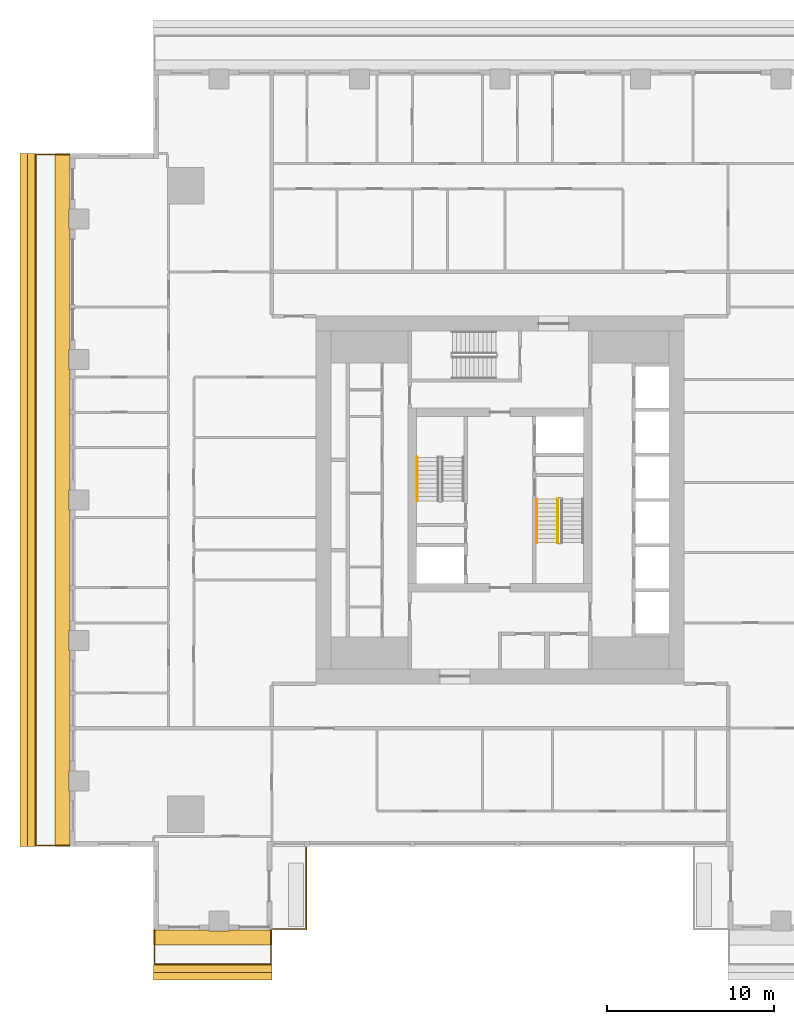
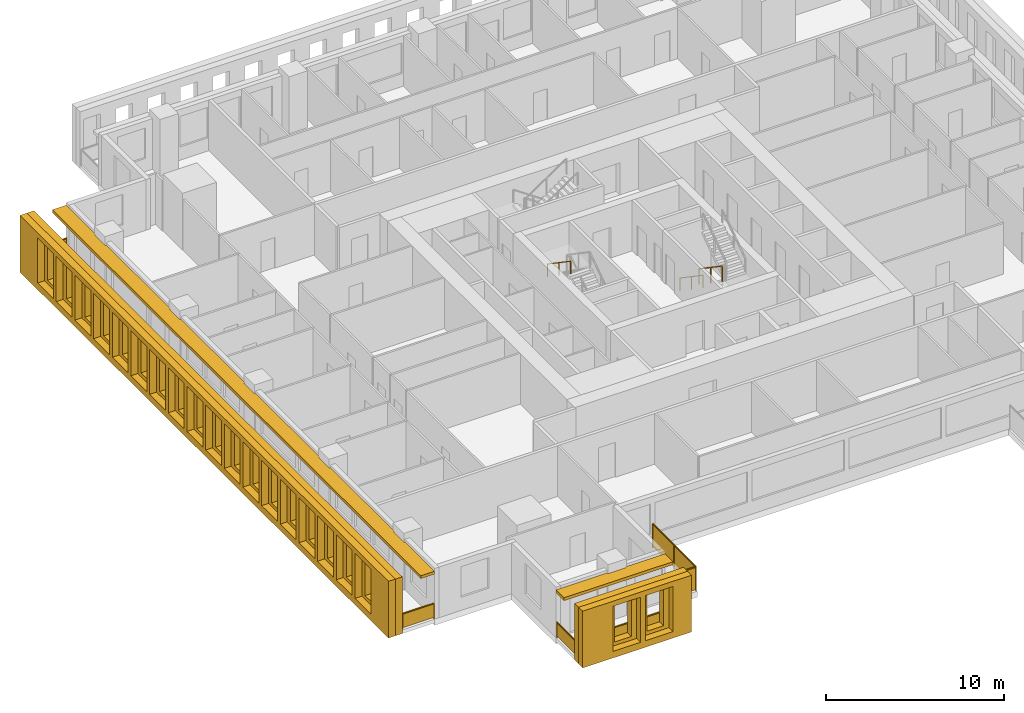
# One storey, part 10 of 14: 6 railings, 6 shading devices.
"""IFC4 building model written with IfcOpenShell, lengths in metres."""

from ifc_helpers import new_model, si_unit, direction, frame, origin, origin_2d, place, context, subcontext, project, spatial, polyline, rectangle, outline, extrude, material, layer, layer_set, type_object, element, save


model = new_model("IFC4")

# Units and contexts
model_context = context("Model", 3, precision=1e-05, world=origin(), true_north=direction((0.0, 1.0)))
body_context = subcontext(model_context, "Body", "Model", "MODEL_VIEW")
ifc_project = project(units=[si_unit("LENGTHUNIT", "METRE"), si_unit("AREAUNIT", "SQUARE_METRE"), si_unit("VOLUMEUNIT", "CUBIC_METRE"), si_unit("PLANEANGLEUNIT", "RADIAN"), si_unit("MASSUNIT", "GRAM", prefix="KILO")], contexts=[model_context])

# Site, building, storey
site_placement = place(None, origin())
site = spatial("IfcSite", under=ifc_project, at=site_placement, CompositionType="ELEMENT")
building_placement = place(site_placement, origin())
building = spatial("IfcBuilding", under=site, at=building_placement, Name="Khepri Terraces", CompositionType="ELEMENT")
storey_placement = place(building_placement, frame((0.0, 0.0, 279.60009765625)))
storey = spatial("IfcBuildingStorey", under=building, at=storey_placement, Name="L67", CompositionType="ELEMENT", Elevation=279.60009765625)

# Railings
ifc_material_1 = material(Name="Stainless steel grade 316", Category="steel")
railing_type_1 = type_object("IfcRailingType", Name="GRD-BAL-1100", PredefinedType="GUARDRAIL", material=ifc_material_1)
railing_1_placement = place(storey_placement, frame((-20.669921875, -25.719970703125, 0.0)))
element("IfcRailing", 1, at=railing_1_placement, inside=storey, type_object=railing_type_1, Name="Balcony guard L67 S", PredefinedType="GUARDRAIL", context=body_context, shape_type="SweptSolid", body=[
    extrude(rectangle(XDim=0.050048828125, YDim=0.06005859375, at=origin_2d()), frame((0.0, 0.0, 1.070068359375), z_axis=(0.0, -1.0, 0.0), x_axis=(1.0, 0.0, 0.0)), (0.0, 0.0, 1.0), 2.050048828125),
    extrude(rectangle(XDim=2.0, YDim=0.011962890625, at=origin_2d()), frame((0.0, -1.02490234375, 0.10009765625), z_axis=(0.0, 0.0, 1.0), x_axis=(0.0, -1.0, 0.0)), (0.0, 0.0, 1.0), 0.93994140625),
    extrude(rectangle(XDim=0.050048828125, YDim=0.06005859375, at=origin_2d()), frame((0.0, -2.050048828125, 1.070068359375), z_axis=(1.0, 0.0, 0.0), x_axis=(0.0, 1.0, 0.0)), (0.0, 0.0, 1.0), 6.969970703125),
    extrude(rectangle(XDim=2.273193359375, YDim=0.011962890625, at=origin_2d()), frame((1.16162109375, -2.050048828125, 0.10009765625), z_axis=(0.0, 0.0, 1.0), x_axis=(1.0, 0.0, 0.0)), (0.0, 0.0, 1.0), 0.93994140625),
    extrude(rectangle(XDim=2.273193359375, YDim=0.011962890625, at=origin_2d()), frame((3.48486328125, -2.050048828125, 0.10009765625), z_axis=(0.0, 0.0, 1.0), x_axis=(1.0, 0.0, 0.0)), (0.0, 0.0, 1.0), 0.93994140625),
    extrude(rectangle(XDim=2.273193359375, YDim=0.011962890625, at=origin_2d()), frame((5.808349609375, -2.050048828125, 0.10009765625), z_axis=(0.0, 0.0, 1.0), x_axis=(1.0, 0.0, 0.0)), (0.0, 0.0, 1.0), 0.93994140625),
    extrude(rectangle(XDim=0.050048828125, YDim=0.06005859375, at=origin_2d()), frame((6.969970703125, -2.050048828125, 1.070068359375), z_axis=(0.0, 1.0, 0.0), x_axis=(-1.0, 0.0, 0.0)), (0.0, 0.0, 1.0), 2.050048828125),
    extrude(rectangle(XDim=2.0, YDim=0.011962890625, at=origin_2d()), frame((6.969970703125, -1.02490234375, 0.10009765625), z_axis=(0.0, 0.0, 1.0), x_axis=(0.0, 1.0, 0.0)), (0.0, 0.0, 1.0), 0.93994140625),
    extrude(rectangle(XDim=0.050048828125, YDim=0.050048828125, at=origin_2d()), origin(), (0.0, 0.0, 1.0), 1.0400390625),
    extrude(rectangle(XDim=0.050048828125, YDim=0.050048828125, at=origin_2d()), frame((0.0, -2.050048828125, 0.0)), (0.0, 0.0, 1.0), 1.0400390625),
    extrude(rectangle(XDim=0.050048828125, YDim=0.050048828125, at=origin_2d()), frame((2.3232421875, -2.050048828125, 0.0)), (0.0, 0.0, 1.0), 1.0400390625),
    extrude(rectangle(XDim=0.050048828125, YDim=0.050048828125, at=origin_2d()), frame((4.646728515625, -2.050048828125, 0.0)), (0.0, 0.0, 1.0), 1.0400390625),
    extrude(rectangle(XDim=0.050048828125, YDim=0.050048828125, at=origin_2d()), frame((6.969970703125, -2.050048828125, 0.0)), (0.0, 0.0, 1.0), 1.0400390625),
    extrude(rectangle(XDim=0.050048828125, YDim=0.050048828125, at=origin_2d()), frame((6.969970703125, 0.0, 0.0)), (0.0, 0.0, 1.0), 1.0400390625),
])
railing_2_placement = place(storey_placement, frame((-25.719970703125, 20.669921875, 0.0)))
element("IfcRailing", 2, at=railing_2_placement, inside=storey, type_object=railing_type_1, Name="Balcony guard L67 W", PredefinedType="GUARDRAIL", context=body_context, shape_type="SweptSolid", body=[
    extrude(rectangle(XDim=0.050048828125, YDim=0.06005859375, at=origin_2d()), frame((0.0, 0.0, 1.070068359375), z_axis=(-1.0, 0.0, 0.0), x_axis=(0.0, -1.0, 0.0)), (0.0, 0.0, 1.0), 2.050048828125),
    extrude(rectangle(XDim=2.0, YDim=0.011962890625, at=origin_2d()), frame((-1.02490234375, 0.0, 0.10009765625), z_axis=(0.0, 0.0, 1.0), x_axis=(-1.0, 0.0, 0.0)), (0.0, 0.0, 1.0), 0.93994140625),
    extrude(rectangle(XDim=0.050048828125, YDim=0.06005859375, at=origin_2d()), frame((-2.050048828125, 0.0, 1.070068359375), z_axis=(0.0, -1.0, 0.0), x_axis=(1.0, 0.0, 0.0)), (0.0, 0.0, 1.0), 41.33984375),
    extrude(rectangle(XDim=2.24658203125, YDim=0.011962890625, at=origin_2d()), frame((-2.050048828125, -1.1484375, 0.10009765625), z_axis=(0.0, 0.0, 1.0), x_axis=(0.0, -1.0, 0.0)), (0.0, 0.0, 1.0), 0.93994140625),
    extrude(rectangle(XDim=2.24658203125, YDim=0.011962890625, at=origin_2d()), frame((-2.050048828125, -3.445068359375, 0.10009765625), z_axis=(0.0, 0.0, 1.0), x_axis=(0.0, -1.0, 0.0)), (0.0, 0.0, 1.0), 0.93994140625),
    extrude(rectangle(XDim=2.24658203125, YDim=0.011962890625, at=origin_2d()), frame((-2.050048828125, -5.74169921875, 0.10009765625), z_axis=(0.0, 0.0, 1.0), x_axis=(0.0, -1.0, 0.0)), (0.0, 0.0, 1.0), 0.93994140625),
    extrude(rectangle(XDim=2.24658203125, YDim=0.011962890625, at=origin_2d()), frame((-2.050048828125, -8.038330078125, 0.10009765625), z_axis=(0.0, 0.0, 1.0), x_axis=(0.0, -1.0, 0.0)), (0.0, 0.0, 1.0), 0.93994140625),
    extrude(rectangle(XDim=2.24658203125, YDim=0.011962890625, at=origin_2d()), frame((-2.050048828125, -10.3349609375, 0.10009765625), z_axis=(0.0, 0.0, 1.0), x_axis=(0.0, -1.0, 0.0)), (0.0, 0.0, 1.0), 0.93994140625),
    extrude(rectangle(XDim=2.24658203125, YDim=0.011962890625, at=origin_2d()), frame((-2.050048828125, -12.631591796875, 0.10009765625), z_axis=(0.0, 0.0, 1.0), x_axis=(0.0, -1.0, 0.0)), (0.0, 0.0, 1.0), 0.93994140625),
    extrude(rectangle(XDim=2.24658203125, YDim=0.011962890625, at=origin_2d()), frame((-2.050048828125, -14.92822265625, 0.10009765625), z_axis=(0.0, 0.0, 1.0), x_axis=(0.0, -1.0, 0.0)), (0.0, 0.0, 1.0), 0.93994140625),
    extrude(rectangle(XDim=2.24658203125, YDim=0.011962890625, at=origin_2d()), frame((-2.050048828125, -17.224853515625, 0.10009765625), z_axis=(0.0, 0.0, 1.0), x_axis=(0.0, -1.0, 0.0)), (0.0, 0.0, 1.0), 0.93994140625),
    extrude(rectangle(XDim=2.24658203125, YDim=0.011962890625, at=origin_2d()), frame((-2.050048828125, -19.521484375, 0.10009765625), z_axis=(0.0, 0.0, 1.0), x_axis=(0.0, -1.0, 0.0)), (0.0, 0.0, 1.0), 0.93994140625),
    extrude(rectangle(XDim=2.24658203125, YDim=0.011962890625, at=origin_2d()), frame((-2.050048828125, -21.818359375, 0.10009765625), z_axis=(0.0, 0.0, 1.0), x_axis=(0.0, -1.0, 0.0)), (0.0, 0.0, 1.0), 0.93994140625),
    extrude(rectangle(XDim=2.24658203125, YDim=0.011962890625, at=origin_2d()), frame((-2.050048828125, -24.114990234375, 0.10009765625), z_axis=(0.0, 0.0, 1.0), x_axis=(0.0, -1.0, 0.0)), (0.0, 0.0, 1.0), 0.93994140625),
    extrude(rectangle(XDim=2.24658203125, YDim=0.011962890625, at=origin_2d()), frame((-2.050048828125, -26.41162109375, 0.10009765625), z_axis=(0.0, 0.0, 1.0), x_axis=(0.0, -1.0, 0.0)), (0.0, 0.0, 1.0), 0.93994140625),
    extrude(rectangle(XDim=2.24658203125, YDim=0.011962890625, at=origin_2d()), frame((-2.050048828125, -28.708251953125, 0.10009765625), z_axis=(0.0, 0.0, 1.0), x_axis=(0.0, -1.0, 0.0)), (0.0, 0.0, 1.0), 0.93994140625),
    extrude(rectangle(XDim=2.24658203125, YDim=0.011962890625, at=origin_2d()), frame((-2.050048828125, -31.0048828125, 0.10009765625), z_axis=(0.0, 0.0, 1.0), x_axis=(0.0, -1.0, 0.0)), (0.0, 0.0, 1.0), 0.93994140625),
    extrude(rectangle(XDim=2.24658203125, YDim=0.011962890625, at=origin_2d()), frame((-2.050048828125, -33.301513671875, 0.10009765625), z_axis=(0.0, 0.0, 1.0), x_axis=(0.0, -1.0, 0.0)), (0.0, 0.0, 1.0), 0.93994140625),
    extrude(rectangle(XDim=2.24658203125, YDim=0.011962890625, at=origin_2d()), frame((-2.050048828125, -35.59814453125, 0.10009765625), z_axis=(0.0, 0.0, 1.0), x_axis=(0.0, -1.0, 0.0)), (0.0, 0.0, 1.0), 0.93994140625),
    extrude(rectangle(XDim=2.24658203125, YDim=0.011962890625, at=origin_2d()), frame((-2.050048828125, -37.894775390625, 0.10009765625), z_axis=(0.0, 0.0, 1.0), x_axis=(0.0, -1.0, 0.0)), (0.0, 0.0, 1.0), 0.93994140625),
    extrude(rectangle(XDim=2.24658203125, YDim=0.011962890625, at=origin_2d()), frame((-2.050048828125, -40.19140625, 0.10009765625), z_axis=(0.0, 0.0, 1.0), x_axis=(0.0, -1.0, 0.0)), (0.0, 0.0, 1.0), 0.93994140625),
    extrude(rectangle(XDim=0.050048828125, YDim=0.06005859375, at=origin_2d()), frame((-2.050048828125, -41.33984375, 1.070068359375), z_axis=(1.0, 0.0, 0.0), x_axis=(0.0, 1.0, 0.0)), (0.0, 0.0, 1.0), 2.050048828125),
    extrude(rectangle(XDim=2.0, YDim=0.011962890625, at=origin_2d()), frame((-1.02490234375, -41.33984375, 0.10009765625), z_axis=(0.0, 0.0, 1.0), x_axis=(1.0, 0.0, 0.0)), (0.0, 0.0, 1.0), 0.93994140625),
    extrude(rectangle(XDim=0.050048828125, YDim=0.050048828125, at=origin_2d()), origin(), (0.0, 0.0, 1.0), 1.0400390625),
    extrude(rectangle(XDim=0.050048828125, YDim=0.050048828125, at=origin_2d()), frame((-2.050048828125, 0.0, 0.0)), (0.0, 0.0, 1.0), 1.0400390625),
    extrude(rectangle(XDim=0.050048828125, YDim=0.050048828125, at=origin_2d()), frame((-2.050048828125, -2.296630859375, 0.0)), (0.0, 0.0, 1.0), 1.0400390625),
    extrude(rectangle(XDim=0.050048828125, YDim=0.050048828125, at=origin_2d()), frame((-2.050048828125, -4.59326171875, 0.0)), (0.0, 0.0, 1.0), 1.0400390625),
    extrude(rectangle(XDim=0.050048828125, YDim=0.050048828125, at=origin_2d()), frame((-2.050048828125, -6.889892578125, 0.0)), (0.0, 0.0, 1.0), 1.0400390625),
    extrude(rectangle(XDim=0.050048828125, YDim=0.050048828125, at=origin_2d()), frame((-2.050048828125, -9.1865234375, 0.0)), (0.0, 0.0, 1.0), 1.0400390625),
    extrude(rectangle(XDim=0.050048828125, YDim=0.050048828125, at=origin_2d()), frame((-2.050048828125, -11.4833984375, 0.0)), (0.0, 0.0, 1.0), 1.0400390625),
    extrude(rectangle(XDim=0.050048828125, YDim=0.050048828125, at=origin_2d()), frame((-2.050048828125, -13.780029296875, 0.0)), (0.0, 0.0, 1.0), 1.0400390625),
    extrude(rectangle(XDim=0.050048828125, YDim=0.050048828125, at=origin_2d()), frame((-2.050048828125, -16.07666015625, 0.0)), (0.0, 0.0, 1.0), 1.0400390625),
    extrude(rectangle(XDim=0.050048828125, YDim=0.050048828125, at=origin_2d()), frame((-2.050048828125, -18.373291015625, 0.0)), (0.0, 0.0, 1.0), 1.0400390625),
    extrude(rectangle(XDim=0.050048828125, YDim=0.050048828125, at=origin_2d()), frame((-2.050048828125, -20.669921875, 0.0)), (0.0, 0.0, 1.0), 1.0400390625),
    extrude(rectangle(XDim=0.050048828125, YDim=0.050048828125, at=origin_2d()), frame((-2.050048828125, -22.966552734375, 0.0)), (0.0, 0.0, 1.0), 1.0400390625),
    extrude(rectangle(XDim=0.050048828125, YDim=0.050048828125, at=origin_2d()), frame((-2.050048828125, -25.26318359375, 0.0)), (0.0, 0.0, 1.0), 1.0400390625),
    extrude(rectangle(XDim=0.050048828125, YDim=0.050048828125, at=origin_2d()), frame((-2.050048828125, -27.559814453125, 0.0)), (0.0, 0.0, 1.0), 1.0400390625),
    extrude(rectangle(XDim=0.050048828125, YDim=0.050048828125, at=origin_2d()), frame((-2.050048828125, -29.8564453125, 0.0)), (0.0, 0.0, 1.0), 1.0400390625),
    extrude(rectangle(XDim=0.050048828125, YDim=0.050048828125, at=origin_2d()), frame((-2.050048828125, -32.1533203125, 0.0)), (0.0, 0.0, 1.0), 1.0400390625),
    extrude(rectangle(XDim=0.050048828125, YDim=0.050048828125, at=origin_2d()), frame((-2.050048828125, -34.449951171875, 0.0)), (0.0, 0.0, 1.0), 1.0400390625),
    extrude(rectangle(XDim=0.050048828125, YDim=0.050048828125, at=origin_2d()), frame((-2.050048828125, -36.74658203125, 0.0)), (0.0, 0.0, 1.0), 1.0400390625),
    extrude(rectangle(XDim=0.050048828125, YDim=0.050048828125, at=origin_2d()), frame((-2.050048828125, -39.043212890625, 0.0)), (0.0, 0.0, 1.0), 1.0400390625),
    extrude(rectangle(XDim=0.050048828125, YDim=0.050048828125, at=origin_2d()), frame((-2.050048828125, -41.33984375, 0.0)), (0.0, 0.0, 1.0), 1.0400390625),
    extrude(rectangle(XDim=0.050048828125, YDim=0.050048828125, at=origin_2d()), frame((0.0, -41.33984375, 0.0)), (0.0, 0.0, 1.0), 1.0400390625),
])
railing_type_2 = type_object("IfcRailingType", Name="GRD-TERR-1700", PredefinedType="GUARDRAIL", material=ifc_material_1)
railing_3_placement = place(storey_placement, frame((-11.60009765625, -20.7900390625, 0.0)))
element("IfcRailing", 3, at=railing_3_placement, inside=storey, type_object=railing_type_2, Name="Terrace guard L67", PredefinedType="GUARDRAIL", context=body_context, shape_type="SweptSolid", body=[
    extrude(rectangle(XDim=0.050048828125, YDim=0.06005859375, at=origin_2d()), frame((0.0, 0.0, 1.669921875), z_axis=(0.0, -1.0, 0.0), x_axis=(1.0, 0.0, 0.0)), (0.0, 0.0, 1.0), 4.8798828125),
    extrude(rectangle(XDim=2.389892578125, YDim=0.011962890625, at=origin_2d()), frame((0.0, -1.219970703125, 0.10009765625), z_axis=(0.0, 0.0, 1.0), x_axis=(0.0, -1.0, 0.0)), (0.0, 0.0, 1.0), 1.539794921875),
    extrude(rectangle(XDim=2.389892578125, YDim=0.011962890625, at=origin_2d()), frame((0.0, -3.659912109375, 0.10009765625), z_axis=(0.0, 0.0, 1.0), x_axis=(0.0, -1.0, 0.0)), (0.0, 0.0, 1.0), 1.539794921875),
    extrude(rectangle(XDim=0.050048828125, YDim=0.06005859375, at=origin_2d()), frame((0.0, -4.8798828125, 1.669921875), z_axis=(-1.0, 0.0, 0.0), x_axis=(0.0, -1.0, 0.0)), (0.0, 0.0, 1.0), 1.97998046875),
    extrude(rectangle(XDim=1.929931640625, YDim=0.011962890625, at=origin_2d()), frame((-0.989990234375, -4.8798828125, 0.10009765625), z_axis=(0.0, 0.0, 1.0), x_axis=(-1.0, 0.0, 0.0)), (0.0, 0.0, 1.0), 1.539794921875),
    extrude(rectangle(XDim=0.050048828125, YDim=0.050048828125, at=origin_2d()), origin(), (0.0, 0.0, 1.0), 1.639892578125),
    extrude(rectangle(XDim=0.050048828125, YDim=0.050048828125, at=origin_2d()), frame((0.0, -2.43994140625, 0.0)), (0.0, 0.0, 1.0), 1.639892578125),
    extrude(rectangle(XDim=0.050048828125, YDim=0.050048828125, at=origin_2d()), frame((0.0, -4.8798828125, 0.0)), (0.0, 0.0, 1.0), 1.639892578125),
    extrude(rectangle(XDim=0.050048828125, YDim=0.050048828125, at=origin_2d()), frame((-1.97998046875, -4.8798828125, 0.0)), (0.0, 0.0, 1.0), 1.639892578125),
])
ifc_material_2 = material(Name="Stainless steel 316", Category="steel")
railing_type_3 = type_object("IfcRailingType", Name="RL-CORE-GUARD", PredefinedType="GUARDRAIL", material=ifc_material_2)
railing_4_placement = place(storey_placement, frame((3.449951171875, 0.050048828125, 0.17724609375)))
element("IfcRailing", 4, at=railing_4_placement, inside=storey, type_object=railing_type_3, Name="L67 ST-2 stair guard 1", PredefinedType="GUARDRAIL", context=body_context, shape_type="SweptSolid", body=[
    extrude(rectangle(XDim=0.050048828125, YDim=0.06005859375, at=origin_2d()), frame((0.0, 0.0, 1.070068359375), z_axis=(0.0, -0.826240473404, 0.563317565952), x_axis=(1.0, 0.0, 0.0)), (0.0, 0.0, 1.0), 3.14697265625),
    extrude(rectangle(XDim=0.050048828125, YDim=0.050048828125, at=origin_2d()), origin(), (0.0, 0.0, 1.0), 1.0400390625),
    extrude(rectangle(XDim=0.050048828125, YDim=0.050048828125, at=origin_2d()), frame((0.0, -1.300048828125, 0.88623046875)), (0.0, 0.0, 1.0), 1.0400390625),
    extrude(rectangle(XDim=0.050048828125, YDim=0.050048828125, at=origin_2d()), frame((0.0, -2.60009765625, 1.772705078125)), (0.0, 0.0, 1.0), 1.0400390625),
])
railing_type_4 = type_object("IfcRailingType", Name="RL-CORE-HANDRAIL", PredefinedType="HANDRAIL", material=ifc_material_2)
for number, where, name in (
    (5, (-4.949951171875, 2.550048828125, 2.127197265625), "L67 ST-1 stair handrail 2"),
    (6, (2.199951171875, 0.050048828125, 0.17724609375), "L67 ST-2 stair handrail 1"),
):
    element("IfcRailing", number, at=place(storey_placement, frame(where)), inside=storey, type_object=railing_type_4, Name=name, PredefinedType="HANDRAIL", context=body_context, shape_type="SweptSolid", body=[
        extrude(rectangle(XDim=0.050048828125, YDim=0.050048828125, at=origin_2d()), frame((0.0, 0.0, 0.875), z_axis=(0.0, -0.826240473404, 0.563317565952), x_axis=(1.0, 0.0, 0.0)), (0.0, 0.0, 1.0), 3.14697265625),
        extrude(rectangle(XDim=0.050048828125, YDim=0.050048828125, at=origin_2d()), origin(), (0.0, 0.0, 1.0), 0.849853515625),
        extrude(rectangle(XDim=0.050048828125, YDim=0.050048828125, at=origin_2d()), frame((0.0, -1.300048828125, 0.88623046875)), (0.0, 0.0, 1.0), 0.849853515625),
        extrude(rectangle(XDim=0.050048828125, YDim=0.050048828125, at=origin_2d()), frame((0.0, -2.60009765625, 1.772705078125)), (0.0, 0.0, 1.0), 0.849853515625),
    ])

# Shading devices
ifc_material_3 = material(Name="Precast concrete C50/60 warm stone", Category="masonry")
shading_device_type_1 = type_object("IfcShadingDeviceType", Name="SCR-CELL-INNER-450", PredefinedType="USERDEFINED", material=ifc_material_3)
shading_device_1_placement = place(storey_placement, frame((-20.719970703125, -27.820068359375, -0.25), z_axis=(0.0, -1.0, 0.0), x_axis=(1.0, 0.0, 0.0)))
element("IfcShadingDevice", 7, at=shading_device_1_placement, inside=storey, type_object=shading_device_type_1, Name="Cell screen L67 S in", ObjectType="SCREEN", PredefinedType="USERDEFINED", context=body_context, shape_type="SweptSolid", body=[
    extrude(outline(polyline([(0.0, 0.0), (7.070068359375, 0.0), (7.070068359375, 3.89990234375), (0.0, 3.89990234375), (0.0, 0.0)]), holes=[polyline([(0.2265625, 0.699951171875), (1.3134765625, 0.699951171875), (1.3134765625, 3.300048828125), (0.2265625, 3.300048828125), (0.2265625, 0.699951171875)]), polyline([(2.32666015625, 0.699951171875), (3.413330078125, 0.699951171875), (3.413330078125, 3.300048828125), (2.32666015625, 3.300048828125), (2.32666015625, 0.699951171875)]), polyline([(4.426513671875, 0.699951171875), (5.513427734375, 0.699951171875), (5.513427734375, 3.300048828125), (4.426513671875, 3.300048828125), (4.426513671875, 0.699951171875)])]), origin(), (0.0, 0.0, 1.0), 0.449951171875),
])
shading_device_2_placement = place(storey_placement, frame((-27.820068359375, 20.719970703125, -0.25), z_axis=(-1.0, 0.0, 0.0), x_axis=(0.0, -1.0, 0.0)))
element("IfcShadingDevice", 8, at=shading_device_2_placement, inside=storey, type_object=shading_device_type_1, Name="Cell screen L67 W in", ObjectType="SCREEN", PredefinedType="USERDEFINED", context=body_context, shape_type="SweptSolid", body=[
    extrude(outline(polyline([(0.0, 0.0), (41.43994140625, 0.0), (41.43994140625, 3.89990234375), (0.0, 3.89990234375), (0.0, 0.0)]), holes=[polyline([(0.2265625, 0.699951171875), (1.3134765625, 0.699951171875), (1.3134765625, 3.300048828125), (0.2265625, 3.300048828125), (0.2265625, 0.699951171875)]), polyline([(2.32666015625, 0.699951171875), (3.413330078125, 0.699951171875), (3.413330078125, 3.300048828125), (2.32666015625, 3.300048828125), (2.32666015625, 0.699951171875)]), polyline([(4.426513671875, 0.699951171875), (5.513427734375, 0.699951171875), (5.513427734375, 3.300048828125), (4.426513671875, 3.300048828125), (4.426513671875, 0.699951171875)]), polyline([(6.526611328125, 0.699951171875), (7.61328125, 0.699951171875), (7.61328125, 3.300048828125), (6.526611328125, 3.300048828125), (6.526611328125, 0.699951171875)]), polyline([(8.626708984375, 0.699951171875), (9.71337890625, 0.699951171875), (9.71337890625, 3.300048828125), (8.626708984375, 3.300048828125), (8.626708984375, 0.699951171875)]), polyline([(10.7265625, 0.699951171875), (11.8134765625, 0.699951171875), (11.8134765625, 3.300048828125), (10.7265625, 3.300048828125), (10.7265625, 0.699951171875)]), polyline([(12.82666015625, 0.699951171875), (13.913330078125, 0.699951171875), (13.913330078125, 3.300048828125), (12.82666015625, 3.300048828125), (12.82666015625, 0.699951171875)]), polyline([(14.926513671875, 0.699951171875), (16.013427734375, 0.699951171875), (16.013427734375, 3.300048828125), (14.926513671875, 3.300048828125), (14.926513671875, 0.699951171875)]), polyline([(17.026611328125, 0.699951171875), (18.11328125, 0.699951171875), (18.11328125, 3.300048828125), (17.026611328125, 3.300048828125), (17.026611328125, 0.699951171875)]), polyline([(19.126708984375, 0.699951171875), (20.21337890625, 0.699951171875), (20.21337890625, 3.300048828125), (19.126708984375, 3.300048828125), (19.126708984375, 0.699951171875)]), polyline([(21.2265625, 0.699951171875), (22.3134765625, 0.699951171875), (22.3134765625, 3.300048828125), (21.2265625, 3.300048828125), (21.2265625, 0.699951171875)]), polyline([(23.32666015625, 0.699951171875), (24.413330078125, 0.699951171875), (24.413330078125, 3.300048828125), (23.32666015625, 3.300048828125), (23.32666015625, 0.699951171875)]), polyline([(25.426513671875, 0.699951171875), (26.513427734375, 0.699951171875), (26.513427734375, 3.300048828125), (25.426513671875, 3.300048828125), (25.426513671875, 0.699951171875)]), polyline([(27.526611328125, 0.699951171875), (28.61328125, 0.699951171875), (28.61328125, 3.300048828125), (27.526611328125, 3.300048828125), (27.526611328125, 0.699951171875)]), polyline([(29.626708984375, 0.699951171875), (30.71337890625, 0.699951171875), (30.71337890625, 3.300048828125), (29.626708984375, 3.300048828125), (29.626708984375, 0.699951171875)]), polyline([(31.7265625, 0.699951171875), (32.8134765625, 0.699951171875), (32.8134765625, 3.300048828125), (31.7265625, 3.300048828125), (31.7265625, 0.699951171875)]), polyline([(33.82666015625, 0.699951171875), (34.913330078125, 0.699951171875), (34.913330078125, 3.300048828125), (33.82666015625, 3.300048828125), (33.82666015625, 0.699951171875)]), polyline([(35.926513671875, 0.699951171875), (37.013427734375, 0.699951171875), (37.013427734375, 3.300048828125), (35.926513671875, 3.300048828125), (35.926513671875, 0.699951171875)]), polyline([(38.026611328125, 0.699951171875), (39.11328125, 0.699951171875), (39.11328125, 3.300048828125), (38.026611328125, 3.300048828125), (38.026611328125, 0.699951171875)]), polyline([(40.126708984375, 0.699951171875), (41.21337890625, 0.699951171875), (41.21337890625, 3.300048828125), (40.126708984375, 3.300048828125), (40.126708984375, 0.699951171875)])]), origin(), (0.0, 0.0, 1.0), 0.449951171875),
])
shading_device_type_2 = type_object("IfcShadingDeviceType", Name="SCR-CELL-OUTER-450", PredefinedType="USERDEFINED", material=ifc_material_3)
shading_device_3_placement = place(storey_placement, frame((-20.719970703125, -28.27001953125, -0.25), z_axis=(0.0, -1.0, 0.0), x_axis=(1.0, 0.0, 0.0)))
element("IfcShadingDevice", 9, at=shading_device_3_placement, inside=storey, type_object=shading_device_type_2, Name="Cell screen L67 S out", ObjectType="SCREEN", PredefinedType="USERDEFINED", context=body_context, shape_type="SweptSolid", body=[
    extrude(outline(polyline([(0.0, 0.0), (7.070068359375, 0.0), (7.070068359375, 3.89990234375), (0.0, 3.89990234375), (0.0, 0.0)]), holes=[polyline([(1.9765625, 0.449951171875), (3.763427734375, 0.449951171875), (3.763427734375, 3.550048828125), (1.9765625, 3.550048828125), (1.9765625, 0.449951171875)]), polyline([(4.07666015625, 0.449951171875), (5.86328125, 0.449951171875), (5.86328125, 3.550048828125), (4.07666015625, 3.550048828125), (4.07666015625, 0.449951171875)])]), origin(), (0.0, 0.0, 1.0), 0.449951171875),
])
shading_device_4_placement = place(storey_placement, frame((-28.27001953125, 20.719970703125, -0.25), z_axis=(-1.0, 0.0, 0.0), x_axis=(0.0, -1.0, 0.0)))
element("IfcShadingDevice", 10, at=shading_device_4_placement, inside=storey, type_object=shading_device_type_2, Name="Cell screen L67 W out", ObjectType="SCREEN", PredefinedType="USERDEFINED", context=body_context, shape_type="SweptSolid", body=[
    extrude(outline(polyline([(0.0, 0.0), (41.43994140625, 0.0), (41.43994140625, 3.89990234375), (0.0, 3.89990234375), (0.0, 0.0)]), holes=[polyline([(1.9765625, 0.449951171875), (3.763427734375, 0.449951171875), (3.763427734375, 3.550048828125), (1.9765625, 3.550048828125), (1.9765625, 0.449951171875)]), polyline([(4.07666015625, 0.449951171875), (5.86328125, 0.449951171875), (5.86328125, 3.550048828125), (4.07666015625, 3.550048828125), (4.07666015625, 0.449951171875)]), polyline([(6.176513671875, 0.449951171875), (7.96337890625, 0.449951171875), (7.96337890625, 3.550048828125), (6.176513671875, 3.550048828125), (6.176513671875, 0.449951171875)]), polyline([(8.276611328125, 0.449951171875), (10.0634765625, 0.449951171875), (10.0634765625, 3.550048828125), (8.276611328125, 3.550048828125), (8.276611328125, 0.449951171875)]), polyline([(10.376708984375, 0.449951171875), (12.163330078125, 0.449951171875), (12.163330078125, 3.550048828125), (10.376708984375, 3.550048828125), (10.376708984375, 0.449951171875)]), polyline([(12.4765625, 0.449951171875), (14.263427734375, 0.449951171875), (14.263427734375, 3.550048828125), (12.4765625, 3.550048828125), (12.4765625, 0.449951171875)]), polyline([(14.57666015625, 0.449951171875), (16.36328125, 0.449951171875), (16.36328125, 3.550048828125), (14.57666015625, 3.550048828125), (14.57666015625, 0.449951171875)]), polyline([(16.676513671875, 0.449951171875), (18.46337890625, 0.449951171875), (18.46337890625, 3.550048828125), (16.676513671875, 3.550048828125), (16.676513671875, 0.449951171875)]), polyline([(18.776611328125, 0.449951171875), (20.5634765625, 0.449951171875), (20.5634765625, 3.550048828125), (18.776611328125, 3.550048828125), (18.776611328125, 0.449951171875)]), polyline([(20.876708984375, 0.449951171875), (22.663330078125, 0.449951171875), (22.663330078125, 3.550048828125), (20.876708984375, 3.550048828125), (20.876708984375, 0.449951171875)]), polyline([(22.9765625, 0.449951171875), (24.763427734375, 0.449951171875), (24.763427734375, 3.550048828125), (22.9765625, 3.550048828125), (22.9765625, 0.449951171875)]), polyline([(25.07666015625, 0.449951171875), (26.86328125, 0.449951171875), (26.86328125, 3.550048828125), (25.07666015625, 3.550048828125), (25.07666015625, 0.449951171875)]), polyline([(27.176513671875, 0.449951171875), (28.96337890625, 0.449951171875), (28.96337890625, 3.550048828125), (27.176513671875, 3.550048828125), (27.176513671875, 0.449951171875)]), polyline([(29.276611328125, 0.449951171875), (31.0634765625, 0.449951171875), (31.0634765625, 3.550048828125), (29.276611328125, 3.550048828125), (29.276611328125, 0.449951171875)]), polyline([(31.376708984375, 0.449951171875), (33.163330078125, 0.449951171875), (33.163330078125, 3.550048828125), (31.376708984375, 3.550048828125), (31.376708984375, 0.449951171875)]), polyline([(33.4765625, 0.449951171875), (35.263427734375, 0.449951171875), (35.263427734375, 3.550048828125), (33.4765625, 3.550048828125), (33.4765625, 0.449951171875)]), polyline([(35.57666015625, 0.449951171875), (37.36328125, 0.449951171875), (37.36328125, 3.550048828125), (35.57666015625, 3.550048828125), (35.57666015625, 0.449951171875)]), polyline([(37.676513671875, 0.449951171875), (39.46337890625, 0.449951171875), (39.46337890625, 3.550048828125), (37.676513671875, 3.550048828125), (37.676513671875, 0.449951171875)])]), origin(), (0.0, 0.0, 1.0), 0.449951171875),
])
ifc_layer = layer(ifc_material_3, 0.199951171875, Name="Precast concrete C50/60 warm stone", Category="masonry")
ifc_layer_set = layer_set([ifc_layer], Name="Precast concrete C50/60 warm stone")
shading_device_type_3 = type_object("IfcShadingDeviceType", Name="SSH-BAND-STONE-200", PredefinedType="USERDEFINED", material=ifc_layer_set)
shading_device_5_placement = place(storey_placement, frame((0.0, 0.0, 3.099853515625)))
element("IfcShadingDevice", 11, at=shading_device_5_placement, inside=storey, type_object=shading_device_type_3, Name="Sunshade band L67 S", ObjectType="SUNSHADE", PredefinedType="USERDEFINED", context=body_context, shape_type="SweptSolid", body=[
    extrude(outline(polyline([(-17.39990234375, -25.719970703125), (-20.719970703125, -25.719970703125), (-20.719970703125, -26.6201171875), (-13.64990234375, -26.6201171875), (-13.64990234375, -25.719970703125), (-16.199951171875, -25.719970703125), (-16.199951171875, -25.800048828125), (-17.39990234375, -25.800048828125), (-17.39990234375, -25.719970703125)])), origin(), (0.0, 0.0, 1.0), 0.199951171875),
])
shading_device_6_placement = place(storey_placement, frame((0.0, 0.0, 3.099853515625)))
element("IfcShadingDevice", 12, at=shading_device_6_placement, inside=storey, type_object=shading_device_type_3, Name="Sunshade band L67 W", ObjectType="SUNSHADE", PredefinedType="USERDEFINED", context=body_context, shape_type="SweptSolid", body=[
    extrude(outline(polyline([(-25.719970703125, 17.39990234375), (-25.719970703125, 20.719970703125), (-26.6201171875, 20.719970703125), (-26.6201171875, -20.719970703125), (-25.719970703125, -20.719970703125), (-25.719970703125, -17.39990234375), (-25.800048828125, -17.39990234375), (-25.800048828125, -16.199951171875), (-25.719970703125, -16.199951171875), (-25.719970703125, -9.0), (-25.800048828125, -9.0), (-25.800048828125, -7.800048828125), (-25.719970703125, -7.800048828125), (-25.719970703125, -0.60009765625), (-25.800048828125, -0.60009765625), (-25.800048828125, 0.60009765625), (-25.719970703125, 0.60009765625), (-25.719970703125, 7.800048828125), (-25.800048828125, 7.800048828125), (-25.800048828125, 9.0), (-25.719970703125, 9.0), (-25.719970703125, 16.199951171875), (-25.800048828125, 16.199951171875), (-25.800048828125, 17.39990234375), (-25.719970703125, 17.39990234375)])), origin(), (0.0, 0.0, 1.0), 0.199951171875),
])

save(model, "model.ifc")
